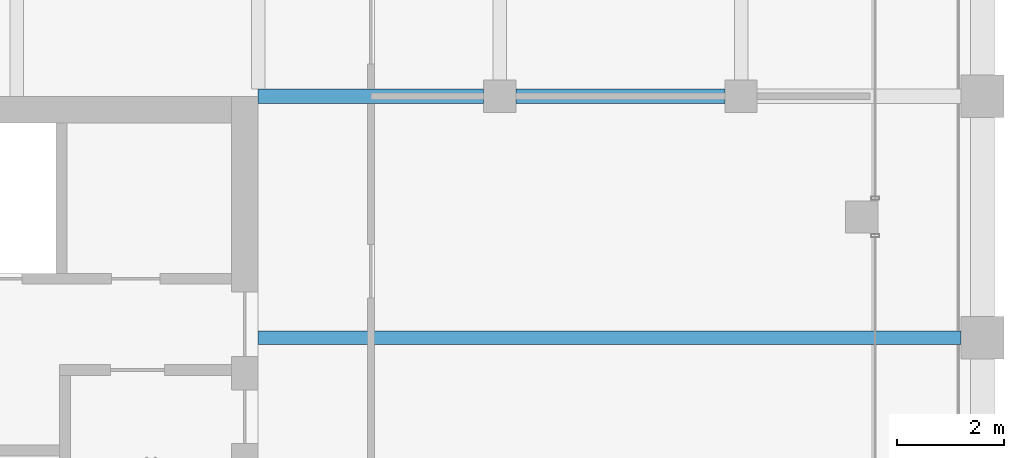
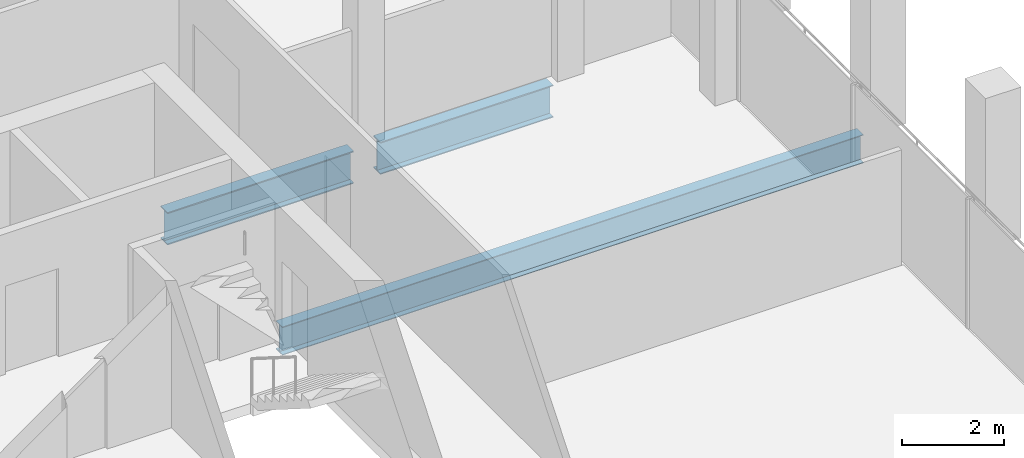
# One storey, part 18 of 30: 3 beams.
"""IFC4 building model written with IfcOpenShell, lengths in metres."""

from ifc_helpers import new_model, si_unit, direction, frame, origin, origin_2d, place, context, subcontext, project, spatial, i_section, extrude, material, material_profile, profile_set, type_object, element, save


model = new_model("IFC4")

# Units and contexts
model_context = context("Model", 3, precision=1e-05, world=origin(), true_north=direction((0.0, 1.0)))
body_context = subcontext(model_context, "Body", "Model", "MODEL_VIEW")
ifc_project = project(units=[si_unit("LENGTHUNIT", "METRE"), si_unit("AREAUNIT", "SQUARE_METRE"), si_unit("VOLUMEUNIT", "CUBIC_METRE"), si_unit("PLANEANGLEUNIT", "RADIAN"), si_unit("MASSUNIT", "GRAM", prefix="KILO")], contexts=[model_context])

# Site, building, storey
site_placement = place(None, origin())
site = spatial("IfcSite", under=ifc_project, at=site_placement, CompositionType="ELEMENT")
building_placement = place(site_placement, origin())
building = spatial("IfcBuilding", under=site, at=building_placement, Name="Altepetl Exchange Towers", CompositionType="ELEMENT")
storey_placement = place(building_placement, frame((0.0, 0.0, 235.199951171875)))
storey = spatial("IfcBuildingStorey", under=building, at=storey_placement, Name="L60", CompositionType="ELEMENT", Elevation=235.199951171875)

# Beams
ifc_material = material(Name="Steel S355", Category="steel")
ifc_material_profile_1 = material_profile(ifc_material, i_section(OverallWidth=0.2529296875, OverallDepth=0.677978515625, WebThickness=0.01171875, FlangeThickness=0.016357421875, at=origin_2d()), Name="W27X84")
ifc_profile_set_1 = profile_set([ifc_material_profile_1], Name="Steel S355")
beam_type_1 = type_object("IfcBeamType", Name="Floor beam W27X84", PredefinedType="BEAM", material=ifc_profile_set_1)
beam_1_placement = place(storey_placement, frame((58.5, 54.0, -0.489013671875), z_axis=(1.0, 0.0, 0.0), x_axis=(0.0, 1.0, 0.0)))
element("IfcBeam", 1, at=beam_1_placement, inside=storey, type_object=beam_type_1, Name="bm:A:L60:011", PredefinedType="BEAM", context=body_context, shape_type="SweptSolid", body=[
    extrude(i_section(OverallWidth=0.2529296875, OverallDepth=0.677978515625, WebThickness=0.01171875, FlangeThickness=0.016357421875, at=origin_2d()), origin(), (0.0, 0.0, 1.0), 13.10009765625),
])
ifc_material_profile_2 = material_profile(ifc_material, i_section(OverallWidth=0.26806640625, OverallDepth=0.77392578125, WebThickness=0.015380859375, FlangeThickness=0.025390625, at=origin_2d()), Name="W30X132")
ifc_profile_set_2 = profile_set([ifc_material_profile_2], Name="Steel S355")
beam_type_2 = type_object("IfcBeamType", Name="Girder W30X132", PredefinedType="BEAM", material=ifc_profile_set_2)
beam_2_placement = place(storey_placement, frame((58.5, 58.5, -0.536865234375), z_axis=(1.0, 0.0, 0.0), x_axis=(0.0, 1.0, 0.0)))
element("IfcBeam", 2, at=beam_2_placement, inside=storey, type_object=beam_type_2, Name="gd:A:L60:000", PredefinedType="BEAM", context=body_context, shape_type="SweptSolid", body=[
    extrude(i_section(OverallWidth=0.26806640625, OverallDepth=0.77392578125, WebThickness=0.015380859375, FlangeThickness=0.025390625, at=origin_2d()), origin(), (0.0, 0.0, 1.0), 4.199951171875),
])
beam_3_placement = place(storey_placement, frame((63.300048828125, 58.5, -0.536865234375), z_axis=(1.0, 0.0, 0.0), x_axis=(0.0, 1.0, 0.0)))
element("IfcBeam", 3, at=beam_3_placement, inside=storey, type_object=beam_type_2, Name="gd:A:L60:001", PredefinedType="BEAM", context=body_context, shape_type="SweptSolid", body=[
    extrude(i_section(OverallWidth=0.26806640625, OverallDepth=0.77392578125, WebThickness=0.015380859375, FlangeThickness=0.025390625, at=origin_2d()), origin(), (0.0, 0.0, 1.0), 3.89990234375),
])

save(model, "model.ifc")
